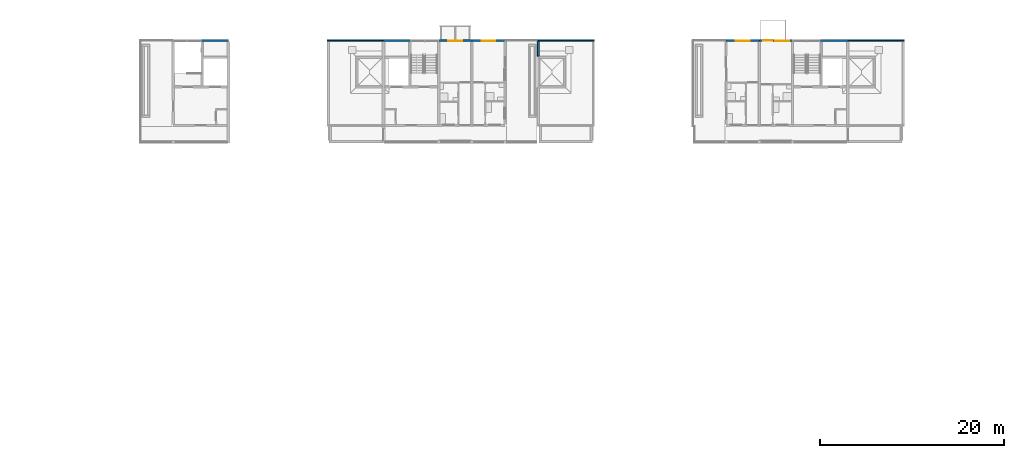
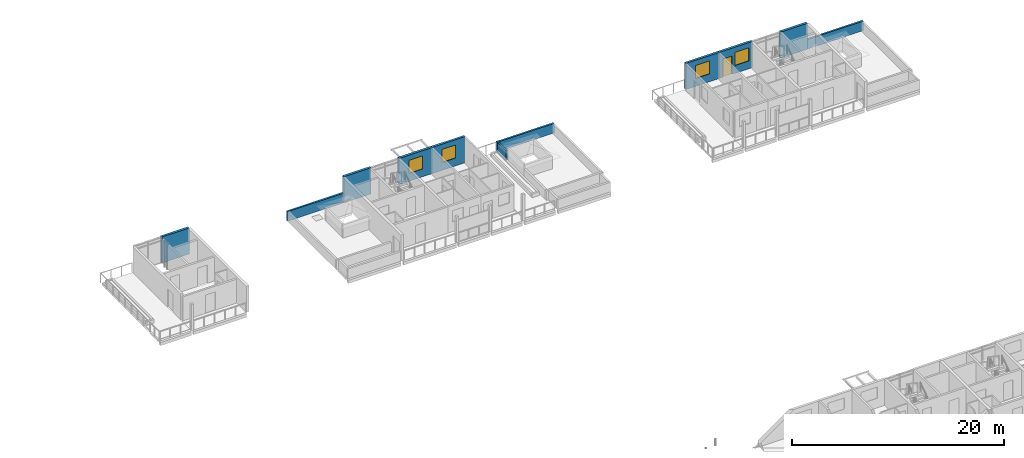
# One storey, part 50 of 78: 11 walls, 4 windows, 1 door, 5 openings.
"""IFC4 building model written with IfcOpenShell, lengths in metres."""

from ifc_helpers import new_model, si_unit, direction, frame, frame_2d, origin, place, context, subcontext, project, spatial, rectangle, extrude, material, layer, layer_set, type_object, element, fill, save


model = new_model("IFC4")

# Units and contexts
model_context = context("Model", 3, precision=1e-05, world=origin(), true_north=direction((0.0, 1.0)))
body_context = subcontext(model_context, "Body", "Model", "MODEL_VIEW")
ifc_project = project(units=[si_unit("LENGTHUNIT", "METRE"), si_unit("AREAUNIT", "SQUARE_METRE"), si_unit("VOLUMEUNIT", "CUBIC_METRE"), si_unit("PLANEANGLEUNIT", "RADIAN"), si_unit("MASSUNIT", "GRAM", prefix="KILO")], contexts=[model_context])

# Site, building, storey
site_placement = place(None, origin())
site = spatial("IfcSite", under=ifc_project, at=site_placement, CompositionType="ELEMENT")
building_placement = place(site_placement, origin())
building = spatial("IfcBuilding", under=site, at=building_placement, Name="Ridgestep Commons", CompositionType="ELEMENT")
storey_placement = place(building_placement, frame((0.0, 0.0, 30.0)))
storey = spatial("IfcBuildingStorey", under=building, at=storey_placement, Name="L10", CompositionType="ELEMENT", Elevation=30.0)

# Walls
ifc_material_1 = material(Name="Precast concrete C40/50", Category="concrete")
ifc_layer_1 = layer(ifc_material_1, 0.25)
ifc_layer_set_1 = layer_set([ifc_layer_1], Name="North facade panel 250")
wall_type_1 = type_object("IfcWallType", Name="North facade panel 250", PredefinedType="SOLIDWALL", material=ifc_layer_set_1)
for number, where, z_axis, x_axis, name in (
    (1, (160.625, 77.125, 0.0), (0.0, 0.0, 1.0), (1.0, 0.0, 0.0), "North panel C1C L10"),
    (2, (180.39990234375, 77.125, 0.0), (0.0, 0.0, 1.0), (1.0, 0.0, 0.0), "North panel C3C L10"),
):
    element("IfcWall", number, at=place(storey_placement, frame(where, z_axis=z_axis, x_axis=x_axis)), inside=storey, type_object=wall_type_1, Name=name, PredefinedType="SOLIDWALL", context=body_context, shape_type="SweptSolid", body=[
        extrude(rectangle(XDim=2.97509765625, YDim=0.25, at=frame_2d((1.487548828125, 0.0))), origin(), (0.0, 0.0, 1.0), 3.0),
    ])

# Wall, opening, window
wall_1_placement = place(storey_placement, frame((186.39990234375, 77.125, 0.0), z_axis=(0.0, 0.0, 1.0), x_axis=(1.0, 0.0, 0.0)))
wall_1 = element("IfcWall", 3, at=wall_1_placement, inside=storey, type_object=wall_type_1, Name="North panel C3T3 L10", PredefinedType="SOLIDWALL", context=body_context, shape_type="SweptSolid", body=[
    extrude(rectangle(XDim=3.60009765625, YDim=0.25, at=frame_2d((1.800048828125, 0.0))), origin(), (0.0, 0.0, 1.0), 3.0),
])
opening_1_placement = place(wall_1_placement, frame((1.0625, 0.0, 0.89990234375)))
opening_1 = element("IfcOpeningElement", 4, at=opening_1_placement, cuts=wall_1, Name="Opening W16", PredefinedType="OPENING", context=body_context, shape_type="SweptSolid", body=[
    extrude(rectangle(XDim=1.5, YDim=1.5, at=frame_2d((0.75, 0.75))), frame((0.0, 0.135009765625, 0.0), z_axis=(0.0, -1.0, 0.0), x_axis=(1.0, 0.0, 0.0)), (0.0, 0.0, 1.0), 0.27001953125),
])
ifc_material_2 = material(Name="Aluminium 6063-T6 and glass", Category="aluminium")
window_type = type_object("IfcWindowType", Name="Flat window 1500 x 1500", PartitioningType="DOUBLE_PANEL_VERTICAL", PredefinedType="WINDOW", material=ifc_material_2)
window_1_placement = place(opening_1_placement, origin())
window_1 = element("IfcWindow", 5, at=window_1_placement, inside=storey, type_object=window_type, Name="Window C3-10b 2", OverallHeight=1.5, OverallWidth=1.5, PartitioningType="SINGLE_PANEL", PredefinedType="WINDOW", context=body_context, shape_type="SweptSolid", body=[
    extrude(rectangle(XDim=1.5, YDim=1.5, at=frame_2d((0.75, 0.75))), frame((0.0, -0.02490234375, 0.0), z_axis=(0.0, -1.0, 0.0), x_axis=(1.0, 0.0, 0.0)), (0.0, 0.0, 1.0), 0.06005859375),
])
fill(opening_1, window_1)

wall_2_placement = place(storey_placement, frame((190.0, 77.125, 0.0), z_axis=(0.0, 0.0, 1.0), x_axis=(1.0, 0.0, 0.0)))
wall_2 = element("IfcWall", 6, at=wall_2_placement, inside=storey, type_object=wall_type_1, Name="North panel C3T2 L10", PredefinedType="SOLIDWALL", context=body_context, shape_type="SweptSolid", body=[
    extrude(rectangle(XDim=3.60009765625, YDim=0.25, at=frame_2d((1.800048828125, 0.0))), origin(), (0.0, 0.0, 1.0), 3.0),
])
opening_2_placement = place(wall_2_placement, frame((1.050048828125, 0.0, 0.89990234375)))
opening_2 = element("IfcOpeningElement", 7, at=opening_2_placement, cuts=wall_2, Name="Opening W16", PredefinedType="OPENING", context=body_context, shape_type="SweptSolid", body=[
    extrude(rectangle(XDim=1.5, YDim=1.5, at=frame_2d((0.75, 0.75))), frame((0.0, 0.135009765625, 0.0), z_axis=(0.0, -1.0, 0.0), x_axis=(1.0, 0.0, 0.0)), (0.0, 0.0, 1.0), 0.27001953125),
])
window_2_placement = place(opening_2_placement, origin())
window_2 = element("IfcWindow", 8, at=window_2_placement, inside=storey, type_object=window_type, Name="Window C3-10a 2", OverallHeight=1.5, OverallWidth=1.5, PartitioningType="SINGLE_PANEL", PredefinedType="WINDOW", context=body_context, shape_type="SweptSolid", body=[
    extrude(rectangle(XDim=1.5, YDim=1.5, at=frame_2d((0.75, 0.75))), frame((0.0, -0.02490234375, 0.0), z_axis=(0.0, -1.0, 0.0), x_axis=(1.0, 0.0, 0.0)), (0.0, 0.0, 1.0), 0.06005859375),
])
fill(opening_2, window_2)

wall_3_placement = place(storey_placement, frame((217.60009765625, 77.125, 0.0), z_axis=(0.0, 0.0, 1.0), x_axis=(1.0, 0.0, 0.0)))
wall_3 = element("IfcWall", 9, at=wall_3_placement, inside=storey, type_object=wall_type_1, Name="North panel C5T2 L10", PredefinedType="SOLIDWALL", context=body_context, shape_type="SweptSolid", body=[
    extrude(rectangle(XDim=3.599853515625, YDim=0.25, at=frame_2d((1.7998046875, 0.0))), origin(), (0.0, 0.0, 1.0), 3.0),
])
opening_3_placement = place(wall_3_placement, frame((1.050048828125, 0.0, 0.89990234375)))
opening_3 = element("IfcOpeningElement", 10, at=opening_3_placement, cuts=wall_3, Name="Opening W16", PredefinedType="OPENING", context=body_context, shape_type="SweptSolid", body=[
    extrude(rectangle(XDim=1.5, YDim=1.5, at=frame_2d((0.75, 0.75))), frame((0.0, 0.135009765625, 0.0), z_axis=(0.0, -1.0, 0.0), x_axis=(1.0, 0.0, 0.0)), (0.0, 0.0, 1.0), 0.27001953125),
])
window_3_placement = place(opening_3_placement, origin())
window_3 = element("IfcWindow", 11, at=window_3_placement, inside=storey, type_object=window_type, Name="Window C5-10a 2", OverallHeight=1.5, OverallWidth=1.5, PartitioningType="SINGLE_PANEL", PredefinedType="WINDOW", context=body_context, shape_type="SweptSolid", body=[
    extrude(rectangle(XDim=1.5, YDim=1.5, at=frame_2d((0.75, 0.75))), frame((0.0, -0.02490234375, 0.0), z_axis=(0.0, -1.0, 0.0), x_axis=(1.0, 0.0, 0.0)), (0.0, 0.0, 1.0), 0.06005859375),
])
fill(opening_3, window_3)

# Wall, openings, door, window
wall_4_placement = place(storey_placement, frame((221.199951171875, 77.125, 0.0), z_axis=(0.0, 0.0, 1.0), x_axis=(1.0, 0.0, 0.0)))
wall_4 = element("IfcWall", 12, at=wall_4_placement, inside=storey, type_object=wall_type_1, Name="North panel C5T3 L10", PredefinedType="SOLIDWALL", context=body_context, shape_type="SweptSolid", body=[
    extrude(rectangle(XDim=3.60009765625, YDim=0.25, at=frame_2d((1.800048828125, 0.0))), origin(), (0.0, 0.0, 1.0), 3.0),
])
opening_4_placement = place(wall_4_placement, frame((1.741943359375, 0.0, 0.89990234375)))
opening_4 = element("IfcOpeningElement", 13, at=opening_4_placement, cuts=wall_4, Name="Opening W16", PredefinedType="OPENING", context=body_context, shape_type="SweptSolid", body=[
    extrude(rectangle(XDim=1.5, YDim=1.5, at=frame_2d((0.75, 0.75))), frame((0.0, 0.135009765625, 0.0), z_axis=(0.0, -1.0, 0.0), x_axis=(1.0, 0.0, 0.0)), (0.0, 0.0, 1.0), 0.27001953125),
])
opening_5_placement = place(wall_4_placement, frame((0.408935546875, 0.0, 0.0)))
opening_5 = element("IfcOpeningElement", 14, at=opening_5_placement, cuts=wall_4, Name="Opening C5-10b/5", PredefinedType="OPENING", context=body_context, shape_type="SweptSolid", body=[
    extrude(rectangle(XDim=1.0, YDim=2.10009765625, at=frame_2d((0.5, 1.050048828125))), frame((0.0, 0.135009765625, 0.0), z_axis=(0.0, -1.0, 0.0), x_axis=(1.0, 0.0, 0.0)), (0.0, 0.0, 1.0), 0.27001953125),
])
ifc_material_3 = material(Name="Aluminium and glass", Category="aluminium")
door_type = type_object("IfcDoorType", Name="Balcony door 1000 x 2100", OperationType="NOTDEFINED", PredefinedType="DOOR", material=ifc_material_3)
door_placement = place(opening_5_placement, origin())
door = element("IfcDoor", 15, at=door_placement, inside=storey, type_object=door_type, Name="Balcony door C5-10b/5", OperationType="SINGLE_SWING_RIGHT", OverallHeight=2.10009765625, OverallWidth=1.0, PredefinedType="DOOR", context=body_context, shape_type="SweptSolid", body=[
    extrude(rectangle(XDim=1.0, YDim=2.10009765625, at=frame_2d((0.5, 1.050048828125))), frame((0.0, 0.02490234375, 0.0), z_axis=(0.0, -1.0, 0.0), x_axis=(1.0, 0.0, 0.0)), (0.0, 0.0, 1.0), 0.050048828125),
])
fill(opening_5, door)
window_4_placement = place(opening_4_placement, origin())
window_4 = element("IfcWindow", 16, at=window_4_placement, inside=storey, type_object=window_type, Name="Window C5-10b 2", OverallHeight=1.5, OverallWidth=1.5, PartitioningType="SINGLE_PANEL", PredefinedType="WINDOW", context=body_context, shape_type="SweptSolid", body=[
    extrude(rectangle(XDim=1.5, YDim=1.5, at=frame_2d((0.75, 0.75))), frame((0.0, -0.02490234375, 0.0), z_axis=(0.0, -1.0, 0.0), x_axis=(1.0, 0.0, 0.0)), (0.0, 0.0, 1.0), 0.06005859375),
])
fill(opening_4, window_4)

# Walls
wall_5_placement = place(storey_placement, frame((227.824951171875, 77.125, 0.0), z_axis=(0.0, 0.0, 1.0), x_axis=(1.0, 0.0, 0.0)))
element("IfcWall", 17, at=wall_5_placement, inside=storey, type_object=wall_type_1, Name="North panel C5C L10", PredefinedType="SOLIDWALL", context=body_context, shape_type="SweptSolid", body=[
    extrude(rectangle(XDim=2.97509765625, YDim=0.25, at=frame_2d((1.487548828125, 0.0))), origin(), (0.0, 0.0, 1.0), 3.0),
])
ifc_material_4 = material(Name="Precast concrete C40/50", Category="concrete")
ifc_layer_2 = layer(ifc_material_4, 0.199951171875)
ifc_layer_set_2 = layer_set([ifc_layer_2], Name="Parapet wall 200")
wall_type_2 = type_object("IfcWallType", Name="Parapet wall 200", PredefinedType="PARAPET", material=ifc_layer_set_2)
for number, where, z_axis, x_axis, name in (
    (18, (174.300048828125, 77.125, 0.0), (0.0, 0.0, 1.0), (1.0, 0.0, 0.0), "Parapet C2C north"),
    (19, (197.10009765625, 77.125, 0.0), (0.0, 0.0, 1.0), (1.0, 0.0, 0.0), "Parapet C4C north"),
):
    element("IfcWall", number, at=place(storey_placement, frame(where, z_axis=z_axis, x_axis=x_axis)), inside=storey, type_object=wall_type_2, Name=name, PredefinedType="PARAPET", context=body_context, shape_type="SweptSolid", body=[
        extrude(rectangle(XDim=6.199951171875, YDim=0.199951171875, at=frame_2d((3.10009765625, 0.0))), origin(), (0.0, 0.0, 1.0), 1.10009765625),
    ])
wall_6_placement = place(storey_placement, frame((197.199951171875, 75.39990234375, 0.0), z_axis=(0.0, 0.0, 1.0), x_axis=(0.0, 1.0, 0.0)))
element("IfcWall", 20, at=wall_6_placement, inside=storey, type_object=wall_type_2, Name="Parapet C4C west", PredefinedType="PARAPET", context=body_context, shape_type="SweptSolid", body=[
    extrude(rectangle(XDim=1.625, YDim=0.199951171875, at=frame_2d((0.8125, 0.0))), origin(), (0.0, 0.0, 1.0), 1.10009765625),
])
wall_7_placement = place(storey_placement, frame((230.699951171875, 77.125, 0.0), z_axis=(0.0, 0.0, 1.0), x_axis=(1.0, 0.0, 0.0)))
element("IfcWall", 21, at=wall_7_placement, inside=storey, type_object=wall_type_2, Name="Parapet C6C north", PredefinedType="PARAPET", context=body_context, shape_type="SweptSolid", body=[
    extrude(rectangle(XDim=6.199951171875, YDim=0.199951171875, at=frame_2d((3.10009765625, 0.0))), origin(), (0.0, 0.0, 1.0), 1.10009765625),
])

save(model, "model.ifc")
